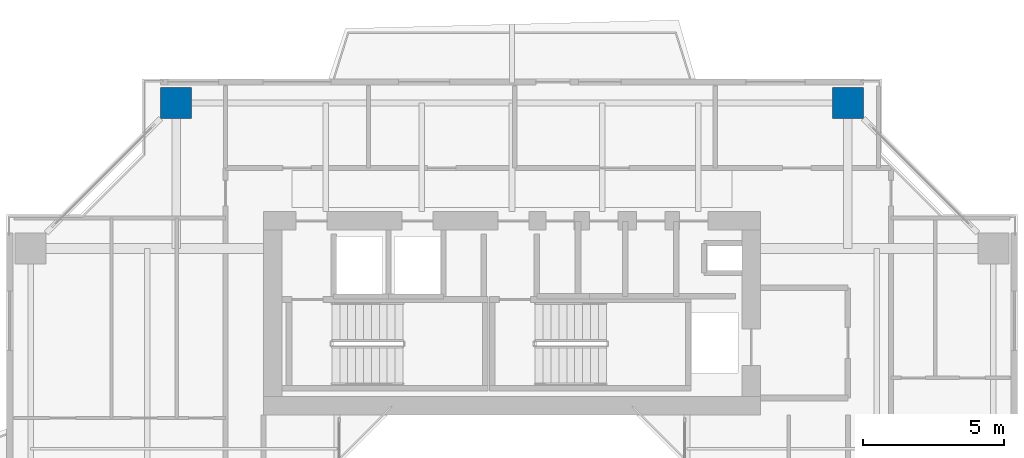
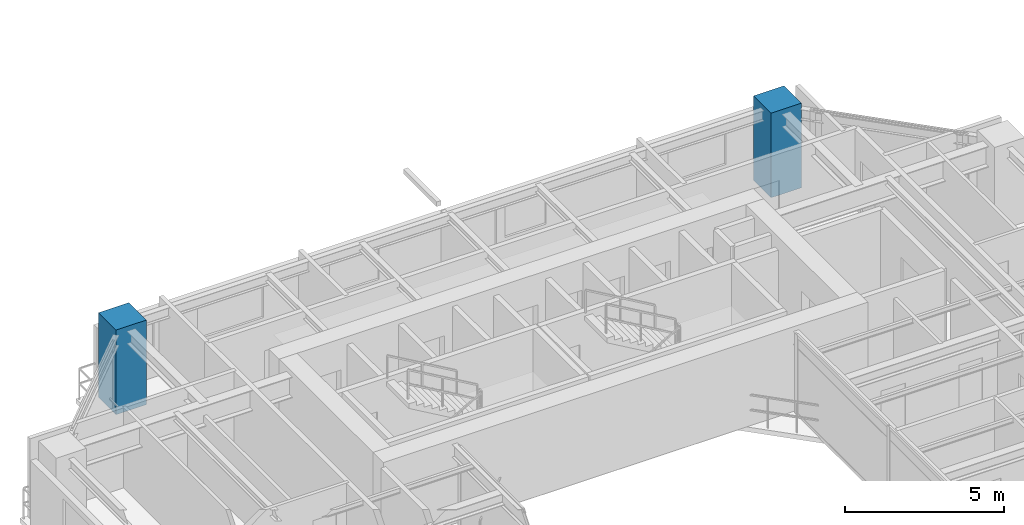
# One storey, part 3 of 28: 2 columns.
"""IFC4 building model written with IfcOpenShell, lengths in metres."""

from ifc_helpers import new_model, si_unit, direction, frame, origin, origin_2d, place, context, subcontext, project, spatial, rectangle, extrude, source, transform, mapped, material, material_profile, profile_set, type_object, element, save


model = new_model("IFC4")

# Units and contexts
model_context = context("Model", 3, precision=1e-05, world=origin(), true_north=direction((0.0, 1.0)))
body_context = subcontext(model_context, "Body", "Model", "MODEL_VIEW")
ifc_project = project(units=[si_unit("LENGTHUNIT", "METRE"), si_unit("AREAUNIT", "SQUARE_METRE"), si_unit("VOLUMEUNIT", "CUBIC_METRE"), si_unit("PLANEANGLEUNIT", "RADIAN"), si_unit("MASSUNIT", "GRAM", prefix="KILO"), si_unit("THERMODYNAMICTEMPERATUREUNIT", "KELVIN"), si_unit("POWERUNIT", "WATT")], contexts=[model_context])

# Site, building, storey
site_placement = place(None, origin())
site = spatial("IfcSite", under=ifc_project, at=site_placement, CompositionType="ELEMENT")
building_placement = place(site_placement, origin())
building = spatial("IfcBuilding", under=site, at=building_placement, Name="Qiaomeng Ring Towers", CompositionType="ELEMENT")
storey_placement = place(building_placement, frame((0.0, 0.0, 113.25)))
storey = spatial("IfcBuildingStorey", under=building, at=storey_placement, Name="L32", CompositionType="ELEMENT", Elevation=113.25)

# Columns
ifc_material = material(Name="Concrete C55", Category="concrete")
ifc_material_profile = material_profile(ifc_material, rectangle(XDim=1.10009765625, YDim=1.10009765625, at=origin_2d()), Name="RC COL 1100x1100")
ifc_profile_set = profile_set([ifc_material_profile], Name="Concrete C55")
column_type = type_object("IfcColumnType", Name="STR-COL-1100-C55", PredefinedType="COLUMN", material=ifc_profile_set)
shared_shape = source(origin(), body_context, "Body", "SweptSolid", [
    extrude(rectangle(XDim=1.10009765625, YDim=1.10009765625, at=origin_2d()), origin(), (0.0, 0.0, 1.0), 3.25),
])
for number, where, z_axis, x_axis, name in (
    (1, (30.89990234375, 40.050048828125, 0.0), (0.0, 0.0, 1.0), (1.0, 0.0, 0.0), "L32 column STR-COL-L32-T1-N2"),
    (2, (7.10009765625, 40.050048828125, 0.0), (0.0, 0.0, 1.0), (1.0, 0.0, 0.0), "L32 column STR-COL-L32-T1-N1"),
):
    element("IfcColumn", number, at=place(storey_placement, frame(where, z_axis=z_axis, x_axis=x_axis)), inside=storey, type_object=column_type, Name=name, PredefinedType="COLUMN", context=body_context, shape_type="MappedRepresentation", body=[
        mapped(shared_shape, transform((0.0, 0.0, 0.0), x_axis=(1.0, 0.0, 0.0), y_axis=(0.0, 1.0, 0.0), z_axis=(0.0, 0.0, 1.0), scale=1.0)),
    ])

save(model, "model.ifc")
